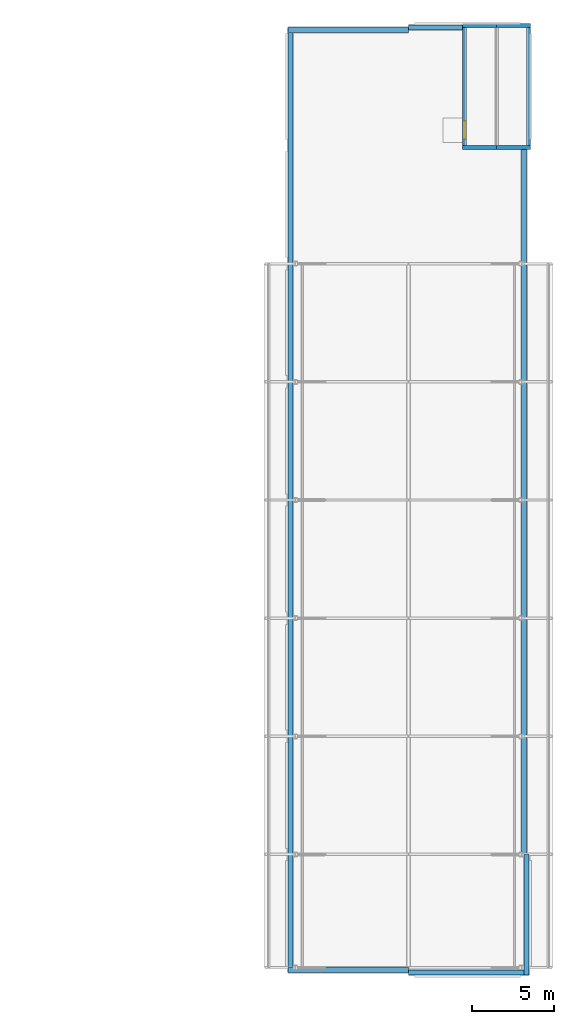
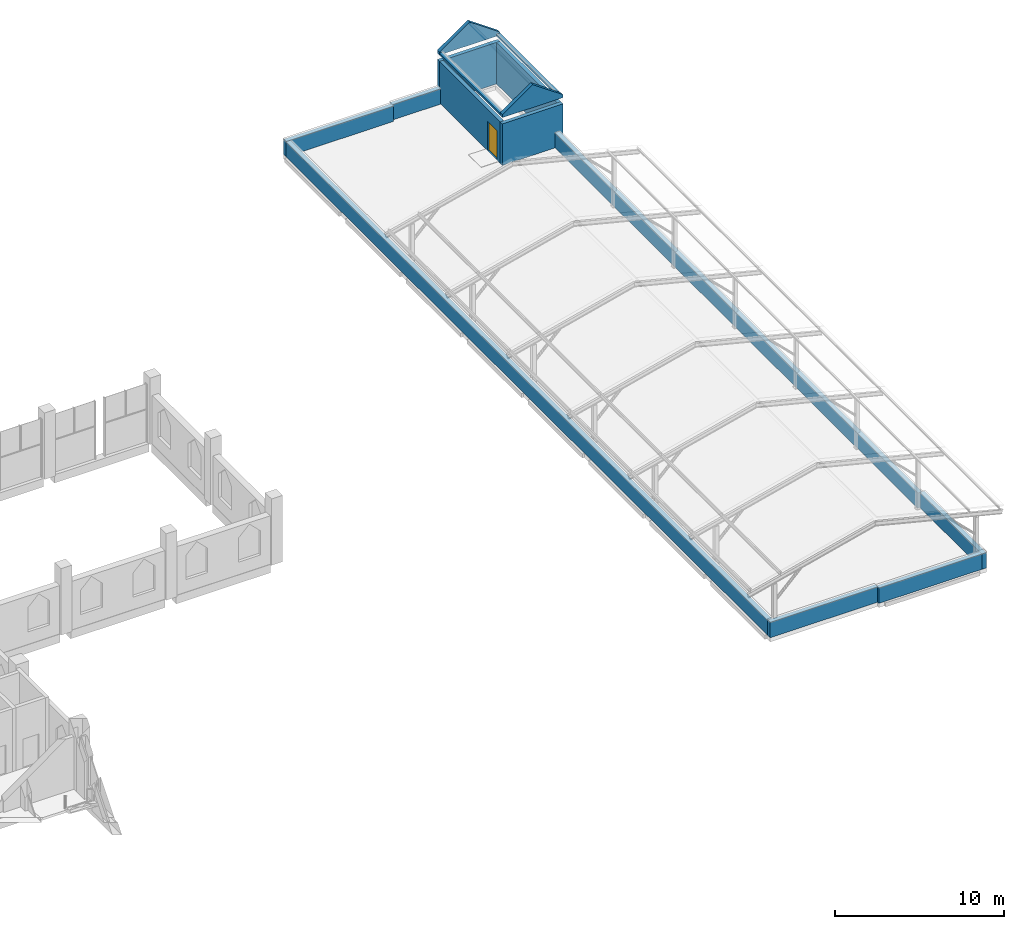
# One storey, part 26 of 30: 15 walls, 1 door, 1 opening.
"""IFC4 building model written with IfcOpenShell, lengths in metres."""

from ifc_helpers import new_model, si_unit, direction, frame, frame_2d, origin, place, context, subcontext, project, spatial, polyline, rectangle, outline, extrude, material, layer, layer_set, type_object, element, fill, save


model = new_model("IFC4")

# Units and contexts
model_context = context("Model", 3, precision=1e-05, world=origin(), true_north=direction((0.0, 1.0)))
body_context = subcontext(model_context, "Body", "Model", "MODEL_VIEW")
ifc_project = project(units=[si_unit("LENGTHUNIT", "METRE"), si_unit("AREAUNIT", "SQUARE_METRE"), si_unit("VOLUMEUNIT", "CUBIC_METRE"), si_unit("PLANEANGLEUNIT", "RADIAN"), si_unit("MASSUNIT", "GRAM", prefix="KILO")], contexts=[model_context])

# Site, building, storey
site_placement = place(None, origin())
site = spatial("IfcSite", under=ifc_project, at=site_placement, CompositionType="ELEMENT")
building_placement = place(site_placement, origin())
building = spatial("IfcBuilding", under=site, at=building_placement, Name="Silangan Lancet Faculty of Sciences", CompositionType="ELEMENT")
storey_placement = place(building_placement, frame((0.0, 0.0, 31.199951171875)))
storey = spatial("IfcBuildingStorey", under=building, at=storey_placement, Name="L06", CompositionType="ELEMENT", Elevation=31.199951171875)

# Walls
ifc_material_1 = material(Name="Concrete C35/45", Category="concrete")
ifc_layer_1 = layer(ifc_material_1, 0.25)
ifc_layer_set_1 = layer_set([ifc_layer_1], Name="Concrete C35/45")
wall_type_1 = type_object("IfcWallType", Name="Head-house eave sill 250", PredefinedType="STANDARD", material=ifc_layer_set_1)
for number, where, z_axis, x_axis, name in (
    (1, (82.625, 50.39990234375, 3.449951171875), (0.0, 0.0, 1.0), (0.0, 1.0, 0.0), "Head-house EB-B eave sill W"),
    (2, (86.52490234375, 50.39990234375, 3.449951171875), (0.0, 0.0, 1.0), (0.0, 1.0, 0.0), "Head-house EB-B eave sill E"),
):
    element("IfcWall", number, at=place(storey_placement, frame(where, z_axis=z_axis, x_axis=x_axis)), inside=storey, type_object=wall_type_1, Name=name, PredefinedType="STANDARD", context=body_context, shape_type="SweptSolid", body=[
        extrude(rectangle(XDim=7.2001953125, YDim=0.25, at=frame_2d((3.60009765625, 0.0))), origin(), (0.0, 0.0, 1.0), 0.150146484375),
    ])
ifc_material_2 = material(Name="Concrete C35/45", Category="concrete")
ifc_layer_2 = layer(ifc_material_2, 0.25)
ifc_layer_set_2 = layer_set([ifc_layer_2], Name="Concrete C35/45")
wall_type_2 = type_object("IfcWallType", Name="Head-house gable infill 250", PredefinedType="STANDARD", material=ifc_layer_set_2)
for number, where, z_axis, x_axis, name in (
    (3, (82.5, 50.27490234375, 3.449951171875), (0.0, 0.0, 1.0), (1.0, 0.0, 0.0), "Head-house EB-B gable infill 1"),
    (4, (82.5, 57.72509765625, 3.449951171875), (0.0, 0.0, 1.0), (1.0, 0.0, 0.0), "Head-house EB-B gable infill 2"),
):
    element("IfcWall", number, at=place(storey_placement, frame(where, z_axis=z_axis, x_axis=x_axis)), inside=storey, type_object=wall_type_2, Name=name, PredefinedType="STANDARD", context=body_context, shape_type="SweptSolid", body=[
        extrude(outline(polyline([(0.0, 0.0), (4.14990234375, 0.0), (4.14990234375, 0.208984375), (2.074951171875, 1.66162109375), (0.0, 0.208984375), (0.0, 0.0)])), frame((0.0, 0.125, 0.0), z_axis=(0.0, -1.0, 0.0), x_axis=(1.0, 0.0, 0.0)), (0.0, 0.0, 1.0), 0.25),
    ])
ifc_material_3 = material(Name="Concrete C35/45", Category="concrete")
ifc_layer_3 = layer(ifc_material_3, 0.25)
ifc_layer_set_3 = layer_set([ifc_layer_3], Name="Concrete C35/45")
wall_type_3 = type_object("IfcWallType", Name="Head-house wall 250", PredefinedType="STANDARD", material=ifc_layer_set_3)
for number, where, z_axis, x_axis, name in (
    (5, (82.5, 50.27490234375, 0.0), (0.0, 0.0, 1.0), (1.0, 0.0, 0.0), "Head-house EB-B south wall"),
    (6, (82.5, 57.72509765625, 0.0), (0.0, 0.0, 1.0), (1.0, 0.0, 0.0), "Head-house EB-B north wall"),
):
    element("IfcWall", number, at=place(storey_placement, frame(where, z_axis=z_axis, x_axis=x_axis)), inside=storey, type_object=wall_type_3, Name=name, PredefinedType="STANDARD", context=body_context, shape_type="SweptSolid", body=[
        extrude(rectangle(XDim=4.14990234375, YDim=0.25, at=frame_2d((2.074951171875, 0.0))), origin(), (0.0, 0.0, 1.0), 3.0),
    ])

# Wall, opening, door
wall_1_placement = place(storey_placement, frame((82.625, 50.39990234375, 0.0), z_axis=(0.0, 0.0, 1.0), x_axis=(0.0, 1.0, 0.0)))
wall_1 = element("IfcWall", 7, at=wall_1_placement, inside=storey, type_object=wall_type_3, Name="Head-house EB-B west wall", PredefinedType="STANDARD", context=body_context, shape_type="SweptSolid", body=[
    extrude(rectangle(XDim=7.2001953125, YDim=0.25, at=frame_2d((3.60009765625, 0.0))), origin(), (0.0, 0.0, 1.0), 3.0),
])
opening_placement = place(wall_1_placement, frame((0.387451171875, 0.0, 0.02001953125)))
opening = element("IfcOpeningElement", 8, at=opening_placement, cuts=wall_1, Name="Opening L06-901", PredefinedType="OPENING", context=body_context, shape_type="SweptSolid", body=[
    extrude(rectangle(XDim=1.10009765625, YDim=2.10009765625, at=frame_2d((0.550048828125, 1.050048828125))), frame((0.0, 0.135009765625, 0.0), z_axis=(0.0, -1.0, 0.0), x_axis=(1.0, 0.0, 0.0)), (0.0, 0.0, 1.0), 0.27001953125),
])
ifc_material_4 = material(Name="Steel fire door", Category="steel")
door_type = type_object("IfcDoorType", Name="DR1 Roof exit door 1100x2100", OperationType="SINGLE_SWING_LEFT", PredefinedType="DOOR", material=ifc_material_4)
door_placement = place(opening_placement, origin())
door = element("IfcDoor", 9, at=door_placement, inside=storey, type_object=door_type, Name="Roof exit door EB-B", OperationType="SINGLE_SWING_RIGHT", OverallHeight=2.10009765625, OverallWidth=1.10009765625, PredefinedType="DOOR", context=body_context, shape_type="SweptSolid", body=[
    extrude(rectangle(XDim=1.10009765625, YDim=2.10009765625, at=frame_2d((0.550048828125, 1.050048828125))), frame((0.0, 0.02490234375, 0.0), z_axis=(0.0, -1.0, 0.0), x_axis=(1.0, 0.0, 0.0)), (0.0, 0.0, 1.0), 0.050048828125),
])
fill(opening, door)

# Walls
wall_2_placement = place(storey_placement, frame((86.52490234375, 50.39990234375, 0.0), z_axis=(0.0, 0.0, 1.0), x_axis=(0.0, 1.0, 0.0)))
element("IfcWall", 10, at=wall_2_placement, inside=storey, type_object=wall_type_3, Name="Head-house EB-B east wall", PredefinedType="STANDARD", context=body_context, shape_type="SweptSolid", body=[
    extrude(rectangle(XDim=7.2001953125, YDim=0.25, at=frame_2d((3.60009765625, 0.0))), origin(), (0.0, 0.0, 1.0), 3.0),
])
ifc_material_5 = material(Name="Concrete C35/45", Category="concrete")
ifc_layer_4 = layer(ifc_material_5, 0.300048828125)
ifc_layer_set_4 = layer_set([ifc_layer_4], Name="Concrete C35/45")
wall_type_4 = type_object("IfcWallType", Name="Roof parapet 300", PredefinedType="PARAPET", material=ifc_layer_set_4)
wall_3_placement = place(storey_placement, frame((79.199951171875, 0.0, 0.0), z_axis=(0.0, 0.0, 1.0), x_axis=(1.0, 0.0, 0.0)))
element("IfcWall", 11, at=wall_3_placement, inside=storey, type_object=wall_type_4, Name="Roof parapet EB 1", PredefinedType="PARAPET", context=body_context, shape_type="SweptSolid", body=[
    extrude(rectangle(XDim=7.35009765625, YDim=0.300048828125, at=frame_2d((3.675048828125, 0.0))), origin(), (0.0, 0.0, 1.0), 1.10009765625),
])
wall_4_placement = place(storey_placement, frame((71.85009765625, 0.14990234375, 0.0), z_axis=(0.0, 0.0, 1.0), x_axis=(1.0, 0.0, 0.0)))
element("IfcWall", 12, at=wall_4_placement, inside=storey, type_object=wall_type_4, Name="Roof parapet EB 2", PredefinedType="PARAPET", context=body_context, shape_type="SweptSolid", body=[
    extrude(rectangle(XDim=7.349853515625, YDim=0.300048828125, at=frame_2d((3.6748046875, 0.0))), origin(), (0.0, 0.0, 1.0), 1.10009765625),
])
wall_5_placement = place(storey_placement, frame((72.0, 0.0, 0.0), z_axis=(0.0, 0.0, 1.0), x_axis=(0.0, 1.0, 0.0)))
element("IfcWall", 13, at=wall_5_placement, inside=storey, type_object=wall_type_4, Name="Roof parapet EB 3", PredefinedType="PARAPET", context=body_context, shape_type="SweptSolid", body=[
    extrude(rectangle(XDim=57.60009765625, YDim=0.300048828125, at=frame_2d((28.800048828125, 0.0))), origin(), (0.0, 0.0, 1.0), 1.10009765625),
])
wall_6_placement = place(storey_placement, frame((71.85009765625, 57.449951171875, 0.0), z_axis=(0.0, 0.0, 1.0), x_axis=(1.0, 0.0, 0.0)))
element("IfcWall", 14, at=wall_6_placement, inside=storey, type_object=wall_type_4, Name="Roof parapet EB 4", PredefinedType="PARAPET", context=body_context, shape_type="SweptSolid", body=[
    extrude(rectangle(XDim=7.349853515625, YDim=0.300048828125, at=frame_2d((3.6748046875, 0.0))), origin(), (0.0, 0.0, 1.0), 1.10009765625),
])
wall_7_placement = place(storey_placement, frame((79.199951171875, 57.60009765625, 0.0), z_axis=(0.0, 0.0, 1.0), x_axis=(1.0, 0.0, 0.0)))
element("IfcWall", 15, at=wall_7_placement, inside=storey, type_object=wall_type_4, Name="Roof parapet EB 5", PredefinedType="PARAPET", context=body_context, shape_type="SweptSolid", body=[
    extrude(rectangle(XDim=3.300048828125, YDim=0.300048828125, at=frame_2d((1.64990234375, 0.0))), origin(), (0.0, 0.0, 1.0), 1.10009765625),
])
wall_8_placement = place(storey_placement, frame((86.25, 7.199951171875, 0.0), z_axis=(0.0, 0.0, 1.0), x_axis=(0.0, 1.0, 0.0)))
element("IfcWall", 16, at=wall_8_placement, inside=storey, type_object=wall_type_4, Name="Roof parapet EB 6", PredefinedType="PARAPET", context=body_context, shape_type="SweptSolid", body=[
    extrude(rectangle(XDim=42.949951171875, YDim=0.300048828125, at=frame_2d((21.47509765625, 0.0))), origin(), (0.0, 0.0, 1.0), 1.10009765625),
])
wall_9_placement = place(storey_placement, frame((86.39990234375, -0.14990234375, 0.0), z_axis=(0.0, 0.0, 1.0), x_axis=(0.0, 1.0, 0.0)))
element("IfcWall", 17, at=wall_9_placement, inside=storey, type_object=wall_type_4, Name="Roof parapet EB 7", PredefinedType="PARAPET", context=body_context, shape_type="SweptSolid", body=[
    extrude(rectangle(XDim=7.349853515625, YDim=0.300048828125, at=frame_2d((3.6748046875, 0.0))), origin(), (0.0, 0.0, 1.0), 1.10009765625),
])

save(model, "model.ifc")
